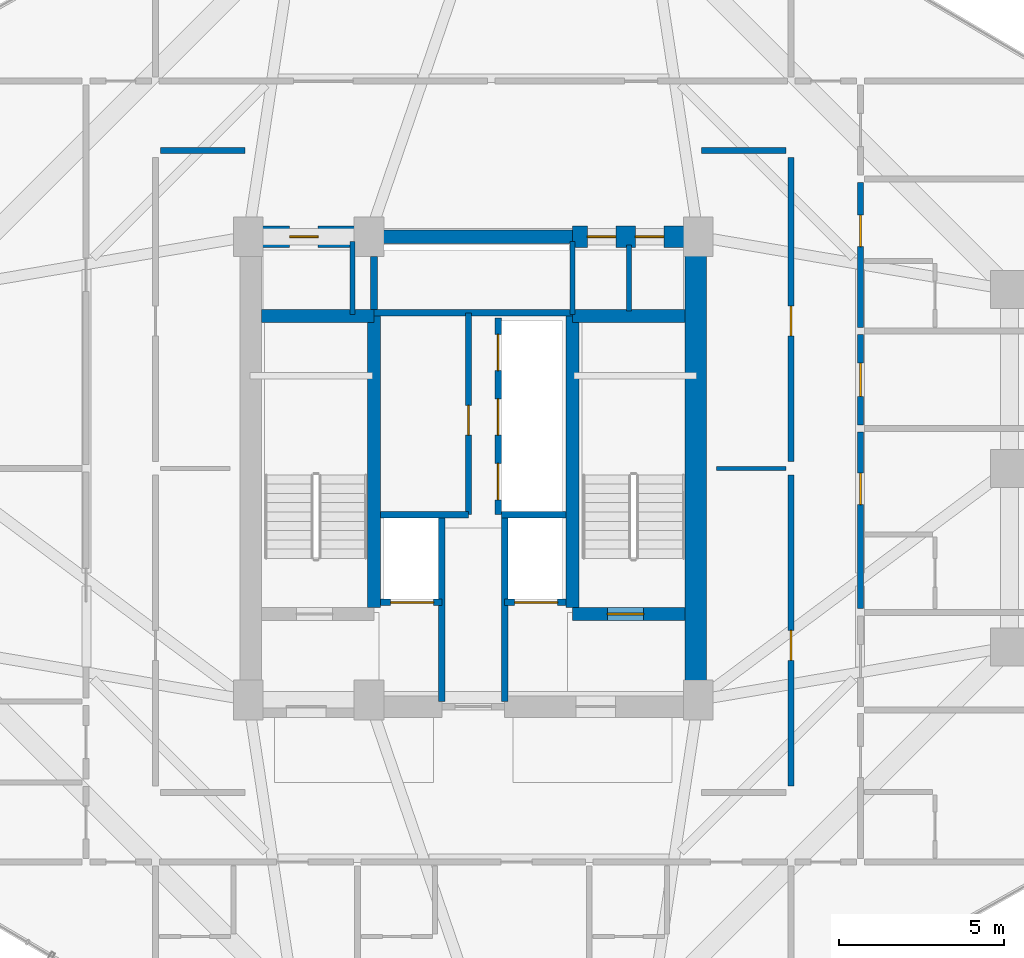
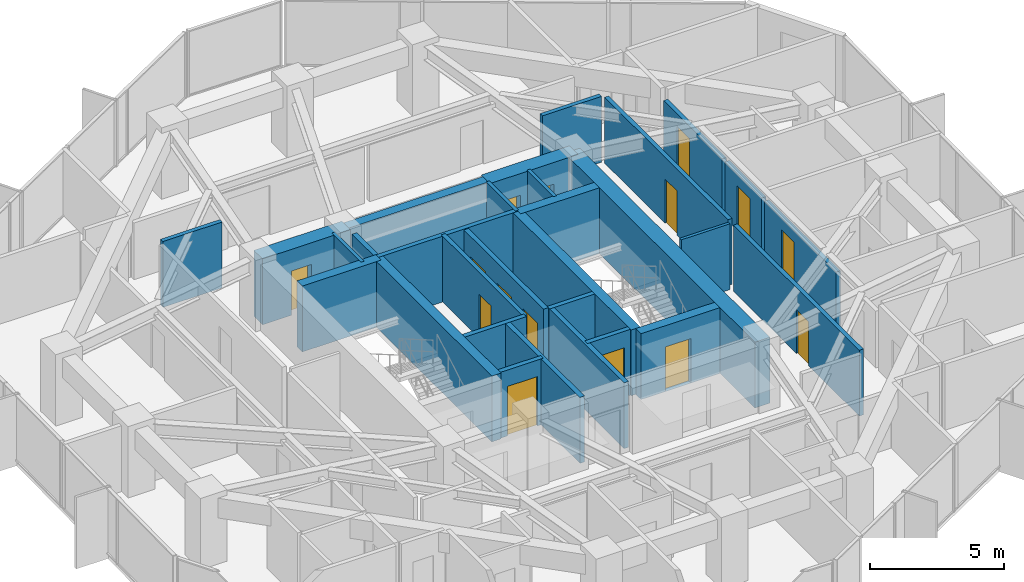
# One storey, part 27 of 30: 30 walls, 15 doors, 15 openings.
"""IFC4 building model written with IfcOpenShell, lengths in metres."""

import ifcopenshell
import ifcopenshell.guid

model = None  # the IFC model being written
_history = None  # IfcOwnerHistory: only IFC2X3 demands one
_inside = {}  # id of a spatial element -> (the spatial element, [elements in it])
_under = {}  # id of a project, library or spatial element -> (it, [spatial elements below it])
_declared = {}  # id of a project -> (the project, [libraries it declares])
_typed = {}  # id of a type object -> (the type object, [elements of that type])
_made_of = {}  # id of a material, layer set ... -> (it, [elements and type objects made of it])


def new_model(schema):
    """Start an empty IFC model of exactly this schema.

    Asked for "IFC4X3", IfcOpenShell would pick the latest addendum, in which some entities
    have other attributes; the version numbers below select the first issue.
    IFC2X3 requires an IfcOwnerHistory on every rooted entity: one is made here for all.
    """
    global model, _history
    if schema == "IFC4X3":
        model = ifcopenshell.file(schema_version=(4, 3, 0, 0))
    else:
        model = ifcopenshell.file(schema=schema)
    _inside.clear()
    _under.clear()
    _declared.clear()
    _typed.clear()
    _made_of.clear()
    _history = None
    if model.schema == "IFC2X3":
        org = make("IfcOrganization", Name="unknown")
        user = make(
            "IfcPersonAndOrganization",
            ThePerson=make("IfcPerson", FamilyName="unknown"),
            TheOrganization=org,
        )
        app = make(
            "IfcApplication",
            ApplicationDeveloper=org,
            Version="unknown",
            ApplicationFullName="unknown",
            ApplicationIdentifier="unknown",
        )
        _history = make(
            "IfcOwnerHistory",
            OwningUser=user,
            OwningApplication=app,
            ChangeAction="ADDED",
            CreationDate=0,
        )
    return model


def make(cls, **values):
    """One entity of the class cls with the attributes given. An attribute that is None is left unset."""
    return model.create_entity(
        cls, **{name: value for name, value in values.items() if value is not None}
    )


def rooted(cls, **values):
    """An entity with a GlobalId (a new one), such as an element, a storey or a relation."""
    return make(cls, GlobalId=ifcopenshell.guid.new(), OwnerHistory=_history, **values)


def si_unit(unit_type, name, prefix=None):
    """IfcSIUnit, for example si_unit("LENGTHUNIT", "METRE", prefix="MILLI")."""
    return make("IfcSIUnit", UnitType=unit_type, Prefix=prefix, Name=name)


def assignment(units):
    """IfcUnitAssignment: the units of a project."""
    return None if units is None else make("IfcUnitAssignment", Units=units)


def point(xyz):
    """IfcCartesianPoint."""
    return None if xyz is None else make("IfcCartesianPoint", Coordinates=xyz)


def direction(xyz):
    """IfcDirection."""
    return None if xyz is None else make("IfcDirection", DirectionRatios=xyz)


def frame(location, z_axis=None, x_axis=None):
    """IfcAxis2Placement3D, a coordinate frame: its origin and axes. An axis left out is left unset."""
    return make(
        "IfcAxis2Placement3D",
        Location=point(location),
        Axis=direction(z_axis),
        RefDirection=direction(x_axis),
    )


def frame_2d(location, x_axis=None):
    """IfcAxis2Placement2D, a coordinate frame in the plane: its origin and x axis."""
    return make(
        "IfcAxis2Placement2D", Location=point(location), RefDirection=direction(x_axis)
    )


def origin():
    """The frame at (0, 0, 0) with its axes left unset."""
    return frame((0.0, 0.0, 0.0))


def place(relative_to, where):
    """IfcLocalPlacement: puts the frame where relative to a parent placement (None: the world)."""
    return make(
        "IfcLocalPlacement", PlacementRelTo=relative_to, RelativePlacement=where
    )


def context(
    kind, dimensions, precision=None, world=None, true_north=None, identifier=None
):
    """IfcGeometricRepresentationContext, for example the 3D "Model" context."""
    return make(
        "IfcGeometricRepresentationContext",
        ContextIdentifier=identifier,
        ContextType=kind,
        CoordinateSpaceDimension=dimensions,
        Precision=precision,
        WorldCoordinateSystem=world,
        TrueNorth=true_north,
    )


def subcontext(parent, identifier, kind, view, scale=None):
    """IfcGeometricRepresentationSubContext, for example "Body" below "Model"."""
    return make(
        "IfcGeometricRepresentationSubContext",
        ContextIdentifier=identifier,
        ContextType=kind,
        ParentContext=parent,
        TargetScale=scale,
        TargetView=view,
    )


def project(units=None, contexts=None):
    """IfcProject with its units and contexts."""
    return rooted(
        "IfcProject",
        Name="project",
        RepresentationContexts=contexts,
        UnitsInContext=assignment(units),
    )


def spatial(cls, under=None, at=None, **own):
    """A site, building, storey or space (cls), placed at a placement, below another one or the project."""
    s = rooted(cls, ObjectPlacement=at, **own)
    if under is not None:
        _under.setdefault(under.id(), (under, []))[1].append(s)
    return s


def profile(cls, at=None, kind="AREA", **sizes):
    """A parametric profile (cls). Its sizes go by their IFC names, for example OverallWidth=200.0."""
    return make(cls, ProfileType=kind, Position=at, **sizes)


def rectangle(**sizes):
    """IfcRectangleProfileDef."""
    return profile("IfcRectangleProfileDef", **sizes)


def extrude(swept, where, along, depth):
    """IfcExtrudedAreaSolid: the profile swept, set in the frame where, extruded along a direction by depth."""
    return make(
        "IfcExtrudedAreaSolid",
        SweptArea=swept,
        Position=where,
        ExtrudedDirection=direction(along),
        Depth=depth,
    )


def shape(context_of_items, identifier, shape_type, items):
    """IfcShapeRepresentation: the items that make up one representation, for example the "Body"."""
    return make(
        "IfcShapeRepresentation",
        ContextOfItems=context_of_items,
        RepresentationIdentifier=identifier,
        RepresentationType=shape_type,
        Items=items,
    )


def source(mapping_origin, context_of_items, identifier, shape_type, items):
    """IfcRepresentationMap: a shape defined once, which mapped items show again and again."""
    return make(
        "IfcRepresentationMap",
        MappingOrigin=mapping_origin,
        MappedRepresentation=shape(context_of_items, identifier, shape_type, items),
    )


def transform(
    local_origin,
    x_axis=None,
    y_axis=None,
    z_axis=None,
    scale=None,
    scale2=None,
    scale3=None,
    uniform=True,
):
    """IfcCartesianTransformationOperator3D, or its non-uniform kind. x_axis, y_axis, z_axis: its Axis1, 2, 3."""
    if uniform:
        return make(
            "IfcCartesianTransformationOperator3D",
            Axis1=direction(x_axis),
            Axis2=direction(y_axis),
            LocalOrigin=point(local_origin),
            Scale=scale,
            Axis3=direction(z_axis),
        )
    return make(
        "IfcCartesianTransformationOperator3DnonUniform",
        Axis1=direction(x_axis),
        Axis2=direction(y_axis),
        LocalOrigin=point(local_origin),
        Scale=scale,
        Axis3=direction(z_axis),
        Scale2=scale2,
        Scale3=scale3,
    )


def mapped(mapping_source, mapping_target):
    """IfcMappedItem: shows the shape of a source again, moved by a transform."""
    return make(
        "IfcMappedItem", MappingSource=mapping_source, MappingTarget=mapping_target
    )


def material(Name=None, Category=None):
    """IfcMaterial."""
    return make("IfcMaterial", Name=Name, Category=Category)


def layer(
    of_material, thickness, ventilated=None, Name=None, Category=None, Priority=None
):
    """IfcMaterialLayer: one layer of a wall or slab, of a material (None: an air gap)."""
    return make(
        "IfcMaterialLayer",
        Material=of_material,
        LayerThickness=thickness,
        IsVentilated=ventilated,
        Name=Name,
        Category=Category,
        Priority=Priority,
    )


def layer_set(layers, Name=None):
    """IfcMaterialLayerSet."""
    return make("IfcMaterialLayerSet", MaterialLayers=layers, LayerSetName=Name)


def made_of(thing, what):
    """Note that an element or type object is made of a material, layer set ...; save() writes the relation."""
    if what is not None:
        _made_of.setdefault(what.id(), (what, []))[1].append(thing)
    return thing


def type_object(cls, material=None, **own):
    """A type object (cls), such as IfcWallType, which elements share."""
    return made_of(rooted(cls, **own), material)


def element(
    cls,
    number,
    at=None,
    inside=None,
    cuts=None,
    type_object=None,
    material=None,
    context=None,
    identifier="Body",
    shape_type=None,
    held_by="IfcProductDefinitionShape",
    body=None,
    shapes=None,
    **own,
):
    """One element of the class cls, such as IfcWall. Its Tag is "e" and its number.

    at: its placement. inside: the storey or other place that contains it. cuts: it is an
    opening in that element (IfcRelVoidsElement). A single representation is given by context,
    identifier, shape_type and body (its items); several are given by shapes. held_by: the class
    of the entity that holds the representations. save() writes the other relations.
    """
    e = rooted(cls, Tag="e%d" % number, ObjectPlacement=at, **own)
    if body is not None:
        shapes = [shape(context, identifier, shape_type, body)]
    if shapes is not None:
        e.Representation = make(held_by, Representations=shapes)
    if inside is not None:
        _inside.setdefault(inside.id(), (inside, []))[1].append(e)
    if cuts is not None:
        rooted(
            "IfcRelVoidsElement", RelatingBuildingElement=cuts, RelatedOpeningElement=e
        )
    if type_object is not None:
        _typed.setdefault(type_object.id(), (type_object, []))[1].append(e)
    return made_of(e, material)


def fill(opening, filler):
    """IfcRelFillsElement: the door or window that sits in an opening."""
    return rooted(
        "IfcRelFillsElement",
        RelatingOpeningElement=opening,
        RelatedBuildingElement=filler,
    )


def aggregate(whole, parts):
    """IfcRelAggregates: a whole, such as a stair, and the parts it consists of."""
    return rooted("IfcRelAggregates", RelatingObject=whole, RelatedObjects=parts)


def save(model, path):
    """Write the relations noted so far, then the file.

    IfcRelAggregates (storeys below a building ...), IfcRelContainedInSpatialStructure (elements
    in a storey), IfcRelDefinesByType, IfcRelAssociatesMaterial and IfcRelDeclares: one each for
    every whole, place, type object, material and project.
    """
    for whole, parts in _under.values():
        aggregate(whole, parts)
    for where, things in _inside.values():
        rooted(
            "IfcRelContainedInSpatialStructure",
            RelatedElements=things,
            RelatingStructure=where,
        )
    for kind, things in _typed.values():
        rooted("IfcRelDefinesByType", RelatedObjects=things, RelatingType=kind)
    for what, things in _made_of.values():
        rooted("IfcRelAssociatesMaterial", RelatedObjects=things, RelatingMaterial=what)
    for by, libraries in _declared.values():
        rooted("IfcRelDeclares", RelatingContext=by, RelatedDefinitions=libraries)
    model.write(path)


model = new_model("IFC4")

# Units and contexts
model_context = context("Model", 3, precision=1e-05, world=origin(), true_north=direction((0.0, 1.0)))
body_context = subcontext(model_context, "Body", "Model", "MODEL_VIEW")
ifc_project = project(units=[si_unit("LENGTHUNIT", "METRE"), si_unit("AREAUNIT", "SQUARE_METRE"), si_unit("VOLUMEUNIT", "CUBIC_METRE"), si_unit("PLANEANGLEUNIT", "RADIAN"), si_unit("MASSUNIT", "GRAM", prefix="KILO")], contexts=[model_context])

# Site, building, storey
site_placement = place(None, origin())
site = spatial("IfcSite", under=ifc_project, at=site_placement, CompositionType="ELEMENT")
building_placement = place(site_placement, origin())
building = spatial("IfcBuilding", under=site, at=building_placement, Name="Veraguas Prism Commons", CompositionType="ELEMENT")
storey_placement = place(building_placement, frame((0.0, 0.0, 126.25)))
storey = spatial("IfcBuildingStorey", under=building, at=storey_placement, Name="L35", CompositionType="ELEMENT", Elevation=126.25)

# Wall
ifc_material_1 = material(Name="Concrete C50/60", Category="concrete")
ifc_layer_1 = layer(ifc_material_1, 0.39990234375, Name="Clinic and Mid Core Shear Wall RC 400", Category="concrete")
ifc_layer_set_1 = layer_set([ifc_layer_1], Name="Concrete C50/60")
wall_type_1 = type_object("IfcWallType", Name="Clinic and Mid Core Shear Wall RC 400", PredefinedType="SHEAR", material=ifc_layer_set_1)
wall_1_placement = place(storey_placement, frame((21.0, 31.0, 0.0), z_axis=(0.0, 0.0, 1.0), x_axis=(1.0, 0.0, 0.0)))
element("IfcWall", 1, at=wall_1_placement, inside=storey, type_object=wall_type_1, Name="High-Rise Lift Bank Front Shear Wall L35", PredefinedType="SHEAR", context=body_context, shape_type="SweptSolid", body=[
    extrude(rectangle(XDim=6.0, YDim=0.39990234375, at=frame_2d((3.0, 0.0))), origin(), (0.0, 0.0, 1.0), 3.0),
])

# Wall, opening, door
wall_2_placement = place(storey_placement, frame((27.0, 19.60009765625, 0.0), z_axis=(0.0, 0.0, 1.0), x_axis=(1.0, 0.0, 0.0)))
wall_2 = element("IfcWall", 2, at=wall_2_placement, inside=storey, type_object=wall_type_1, Name="Stair ST-02 South Shear Wall L35", PredefinedType="SHEAR", context=body_context, shape_type="SweptSolid", body=[
    extrude(rectangle(XDim=3.39990234375, YDim=0.39990234375, at=frame_2d((1.699951171875, 0.0))), origin(), (0.0, 0.0, 1.0), 3.0),
])
opening_1_placement = place(wall_2_placement, frame((1.050048828125, 0.0, 0.0)))
opening_1 = element("IfcOpeningElement", 3, at=opening_1_placement, cuts=wall_2, Name="Opening DR-05", PredefinedType="OPENING", context=body_context, shape_type="SweptSolid", body=[
    extrude(rectangle(XDim=1.10009765625, YDim=2.030029296875, at=frame_2d((0.550048828125, 1.01513671875))), frame((0.0, 0.2099609375, 0.0), z_axis=(0.0, -1.0, 0.0), x_axis=(1.0, 0.0, 0.0)), (0.0, 0.0, 1.0), 0.419921875),
])
ifc_material_2 = material(Name="Steel fire-rated door assembly", Category="steel")
door_type_1 = type_object("IfcDoorType", Name="Protected Stair and Refuge Fire Door 1100x2030", OperationType="NOTDEFINED", PredefinedType="DOOR", material=ifc_material_2)
shared_shape_1 = source(origin(), body_context, "Body", "SweptSolid", [
    extrude(rectangle(XDim=1.10009765625, YDim=2.030029296875, at=frame_2d((0.550048828125, 1.01513671875))), frame((0.0, 0.02490234375, 0.0), z_axis=(0.0, -1.0, 0.0), x_axis=(1.0, 0.0, 0.0)), (0.0, 0.0, 1.0), 0.050048828125),
])
door_1_placement = place(opening_1_placement, origin())
door_1 = element("IfcDoor", 4, at=door_1_placement, inside=storey, type_object=door_type_1, Name="Stair ST-02 Enclosure Door L35", OperationType="SINGLE_SWING_LEFT", OverallHeight=2.030029296875, OverallWidth=1.10009765625, PredefinedType="DOOR", context=body_context, shape_type="MappedRepresentation", body=[
    mapped(shared_shape_1, transform((0.0, 0.0, 0.0), scale=1.0)),
])
fill(opening_1, door_1)

# Walls
for number, where, z_axis, x_axis, name in (
    (5, (21.0, 19.800048828125, 0.0), (0.0, 0.0, 1.0), (0.0, 1.0, 0.0), "Stair ST-01 Inner Shear Wall L35"),
    (6, (27.0, 19.800048828125, 0.0), (0.0, 0.0, 1.0), (0.0, 1.0, 0.0), "Stair ST-02 Inner Shear Wall L35"),
):
    element("IfcWall", number, at=place(storey_placement, frame(where, z_axis=z_axis, x_axis=x_axis)), inside=storey, type_object=wall_type_1, Name=name, PredefinedType="SHEAR", context=body_context, shape_type="SweptSolid", body=[
        extrude(rectangle(XDim=8.800048828125, YDim=0.39990234375, at=frame_2d((4.39990234375, 0.0))), origin(), (0.0, 0.0, 1.0), 3.0),
    ])
for number, where, z_axis, x_axis, name in (
    (7, (17.60009765625, 28.60009765625, 0.0), (0.0, 0.0, 1.0), (1.0, 0.0, 0.0), "Stair ST-01 North Shear Wall L35"),
    (8, (27.0, 28.60009765625, 0.0), (0.0, 0.0, 1.0), (1.0, 0.0, 0.0), "Stair ST-02 North Shear Wall L35"),
):
    element("IfcWall", number, at=place(storey_placement, frame(where, z_axis=z_axis, x_axis=x_axis)), inside=storey, type_object=wall_type_1, Name=name, PredefinedType="SHEAR", context=body_context, shape_type="SweptSolid", body=[
        extrude(rectangle(XDim=3.39990234375, YDim=0.39990234375, at=frame_2d((1.699951171875, 0.0))), origin(), (0.0, 0.0, 1.0), 3.0),
    ])
ifc_material_3 = material(Name="Concrete C55/67", Category="concrete")
ifc_layer_2 = layer(ifc_material_3, 0.64990234375, Name="Core Outer Shear Wall Mid RC 650", Category="concrete")
ifc_layer_set_2 = layer_set([ifc_layer_2], Name="Concrete C55/67")
wall_type_2 = type_object("IfcWallType", Name="Core Outer Shear Wall Mid RC 650", PredefinedType="SHEAR", material=ifc_layer_set_2)
wall_3_placement = place(storey_placement, frame((30.72509765625, 16.800048828125, 0.0), z_axis=(0.0, 0.0, 1.0), x_axis=(0.0, 1.0, 0.0)))
element("IfcWall", 9, at=wall_3_placement, inside=storey, type_object=wall_type_2, Name="Central Core East Shear Wall L35", PredefinedType="SHEAR", context=body_context, shape_type="SweptSolid", body=[
    extrude(rectangle(XDim=14.199951171875, YDim=0.64990234375, at=frame_2d((7.10009765625, 0.0))), origin(), (0.0, 0.0, 1.0), 3.0),
])

# Wall, opening, door
wall_4_placement = place(storey_placement, frame((17.199951171875, 31.0, 0.0), z_axis=(0.0, 0.0, 1.0), x_axis=(1.0, 0.0, 0.0)))
wall_4 = element("IfcWall", 10, at=wall_4_placement, inside=storey, type_object=wall_type_2, Name="Central Core North-West Shear Wall L35", PredefinedType="SHEAR", context=body_context, shape_type="SweptSolid", body=[
    extrude(rectangle(XDim=3.800048828125, YDim=0.64990234375, at=frame_2d((1.89990234375, 0.0))), origin(), (0.0, 0.0, 1.0), 3.0),
])
opening_2_placement = place(wall_4_placement, frame((1.25, 0.0, 0.0)))
opening_2 = element("IfcOpeningElement", 11, at=opening_2_placement, cuts=wall_4, Name="Opening DR-12", PredefinedType="OPENING", context=body_context, shape_type="SweptSolid", body=[
    extrude(rectangle(XDim=0.860107421875, YDim=2.010009765625, at=frame_2d((0.43017578125, 1.0048828125))), frame((0.0, 0.3349609375, 0.0), z_axis=(0.0, -1.0, 0.0), x_axis=(1.0, 0.0, 0.0)), (0.0, 0.0, 1.0), 0.669921875),
])
door_type_2 = type_object("IfcDoorType", Name="Core WC Fire Door 860x2010", OperationType="NOTDEFINED", PredefinedType="DOOR", material=ifc_material_2)
shared_shape_2 = source(origin(), body_context, "Body", "SweptSolid", [
    extrude(rectangle(XDim=0.860107421875, YDim=2.010009765625, at=frame_2d((0.43017578125, 1.0048828125))), frame((0.0, 0.02490234375, 0.0), z_axis=(0.0, -1.0, 0.0), x_axis=(1.0, 0.0, 0.0)), (0.0, 0.0, 1.0), 0.050048828125),
])
door_2_placement = place(opening_2_placement, origin())
door_2 = element("IfcDoor", 12, at=door_2_placement, inside=storey, type_object=door_type_2, Name="Core NW Service Door L35", OperationType="SINGLE_SWING_LEFT", OverallHeight=2.010009765625, OverallWidth=0.860107421875, PredefinedType="DOOR", context=body_context, shape_type="MappedRepresentation", body=[
    mapped(shared_shape_2, transform((0.0, 0.0, 0.0), scale=1.0)),
])
fill(opening_2, door_2)

# Wall, openings, doors
wall_5_placement = place(storey_placement, frame((27.0, 31.0, 0.0), z_axis=(0.0, 0.0, 1.0), x_axis=(1.0, 0.0, 0.0)))
wall_5 = element("IfcWall", 13, at=wall_5_placement, inside=storey, type_object=wall_type_2, Name="Central Core North-East Shear Wall L35", PredefinedType="SHEAR", context=body_context, shape_type="SweptSolid", body=[
    extrude(rectangle(XDim=3.800048828125, YDim=0.64990234375, at=frame_2d((1.89990234375, 0.0))), origin(), (0.0, 0.0, 1.0), 3.0),
])
opening_3_placement = place(wall_5_placement, frame((0.449951171875, 0.0, 0.0)))
opening_3 = element("IfcOpeningElement", 14, at=opening_3_placement, cuts=wall_5, Name="Opening DR-12", PredefinedType="OPENING", context=body_context, shape_type="SweptSolid", body=[
    extrude(rectangle(XDim=0.860107421875, YDim=2.010009765625, at=frame_2d((0.43017578125, 1.0048828125))), frame((0.0, 0.3349609375, 0.0), z_axis=(0.0, -1.0, 0.0), x_axis=(1.0, 0.0, 0.0)), (0.0, 0.0, 1.0), 0.669921875),
])
opening_4_placement = place(wall_5_placement, frame((1.89990234375, 0.0, 0.0)))
opening_4 = element("IfcOpeningElement", 15, at=opening_4_placement, cuts=wall_5, Name="Opening DR-12", PredefinedType="OPENING", context=body_context, shape_type="SweptSolid", body=[
    extrude(rectangle(XDim=0.860107421875, YDim=2.010009765625, at=frame_2d((0.43017578125, 1.0048828125))), frame((0.0, 0.3349609375, 0.0), z_axis=(0.0, -1.0, 0.0), x_axis=(1.0, 0.0, 0.0)), (0.0, 0.0, 1.0), 0.669921875),
])
door_3_placement = place(opening_3_placement, origin())
door_3 = element("IfcDoor", 16, at=door_3_placement, inside=storey, type_object=door_type_2, Name="Core NE Room A Door L35", OperationType="SINGLE_SWING_RIGHT", OverallHeight=2.010009765625, OverallWidth=0.860107421875, PredefinedType="DOOR", context=body_context, shape_type="MappedRepresentation", body=[
    mapped(shared_shape_2, transform((0.0, 0.0, 0.0), scale=1.0)),
])
fill(opening_3, door_3)
door_4_placement = place(opening_4_placement, origin())
door_4 = element("IfcDoor", 17, at=door_4_placement, inside=storey, type_object=door_type_2, Name="Core NE Room B Door L35", OperationType="SINGLE_SWING_LEFT", OverallHeight=2.010009765625, OverallWidth=0.860107421875, PredefinedType="DOOR", context=body_context, shape_type="MappedRepresentation", body=[
    mapped(shared_shape_2, transform((0.0, 0.0, 0.0), scale=1.0)),
])
fill(opening_4, door_4)

# Wall, opening, door
ifc_material_4 = material(Name="Autoclaved aerated masonry block 10 MPa", Category="masonry")
ifc_layer_3 = layer(ifc_material_4, 0.179931640625, Name="Corridor and Inter-Tenancy Partition 180", Category="masonry")
ifc_layer_set_3 = layer_set([ifc_layer_3], Name="Autoclaved aerated masonry block 10 MPa")
wall_type_3 = type_object("IfcWallType", Name="Corridor and Inter-Tenancy Partition 180", PredefinedType="PARTITIONING", material=ifc_layer_set_3)
wall_6_placement = place(storey_placement, frame((23.85009765625, 22.60009765625, 0.0), z_axis=(0.0, 0.0, 1.0), x_axis=(0.0, 1.0, 0.0)))
wall_6 = element("IfcWall", 18, at=wall_6_placement, inside=storey, type_object=wall_type_3, Name="Reading Room Partition L35", PredefinedType="PARTITIONING", context=body_context, shape_type="SweptSolid", body=[
    extrude(rectangle(XDim=6.099853515625, YDim=0.179931640625, at=frame_2d((3.0498046875, 0.0))), origin(), (0.0, 0.0, 1.0), 3.0),
])
opening_5_placement = place(wall_6_placement, frame((2.39990234375, 0.0, 0.0)))
opening_5 = element("IfcOpeningElement", 19, at=opening_5_placement, cuts=wall_6, Name="Opening DR-14", PredefinedType="OPENING", context=body_context, shape_type="SweptSolid", body=[
    extrude(rectangle(XDim=0.89990234375, YDim=2.010009765625, at=frame_2d((0.449951171875, 1.0048828125))), frame((0.0, 0.099853515625, 0.0), z_axis=(0.0, -1.0, 0.0), x_axis=(1.0, 0.0, 0.0)), (0.0, 0.0, 1.0), 0.199951171875),
])
door_type_3 = type_object("IfcDoorType", Name="Core Service Room Fire Door 900x2010", OperationType="NOTDEFINED", PredefinedType="DOOR", material=ifc_material_2)
shared_shape_3 = source(origin(), body_context, "Body", "SweptSolid", [
    extrude(rectangle(XDim=0.89990234375, YDim=2.010009765625, at=frame_2d((0.449951171875, 1.0048828125))), frame((0.0, 0.02490234375, 0.0), z_axis=(0.0, -1.0, 0.0), x_axis=(1.0, 0.0, 0.0)), (0.0, 0.0, 1.0), 0.050048828125),
])
door_5_placement = place(opening_5_placement, origin())
door_5 = element("IfcDoor", 20, at=door_5_placement, inside=storey, type_object=door_type_3, Name="Reading Room Door L35", OperationType="SINGLE_SWING_RIGHT", OverallHeight=2.010009765625, OverallWidth=0.89990234375, PredefinedType="DOOR", context=body_context, shape_type="MappedRepresentation", body=[
    mapped(shared_shape_3, transform((0.0, 0.0, 0.0), scale=1.0)),
])
fill(opening_5, door_5)

wall_7_placement = place(storey_placement, frame((33.60009765625, 14.39990234375, 0.0), z_axis=(0.0, 0.0, 1.0), x_axis=(0.0, 1.0, 0.0)))
wall_7 = element("IfcWall", 21, at=wall_7_placement, inside=storey, type_object=wall_type_3, Name="WL-L35-IRE1", PredefinedType="PARTITIONING", context=body_context, shape_type="SweptSolid", body=[
    extrude(rectangle(XDim=9.400146484375, YDim=0.179931640625, at=frame_2d((4.7001953125, 0.0))), origin(), (0.0, 0.0, 1.0), 3.0),
])
opening_6_placement = place(wall_7_placement, frame((3.800048828125, 0.0, 0.0)))
opening_6 = element("IfcOpeningElement", 22, at=opening_6_placement, cuts=wall_7, Name="Opening DR-14", PredefinedType="OPENING", context=body_context, shape_type="SweptSolid", body=[
    extrude(rectangle(XDim=0.89990234375, YDim=2.010009765625, at=frame_2d((0.449951171875, 1.0048828125))), frame((0.0, 0.099853515625, 0.0), z_axis=(0.0, -1.0, 0.0), x_axis=(1.0, 0.0, 0.0)), (0.0, 0.0, 1.0), 0.199951171875),
])
door_6_placement = place(opening_6_placement, origin())
door_6 = element("IfcDoor", 23, at=door_6_placement, inside=storey, type_object=door_type_3, Name="Shared Laundry Annex Door L35", OperationType="SINGLE_SWING_LEFT", OverallHeight=2.010009765625, OverallWidth=0.89990234375, PredefinedType="DOOR", context=body_context, shape_type="MappedRepresentation", body=[
    mapped(shared_shape_3, transform((0.0, 0.0, 0.0), scale=1.0)),
])
fill(opening_6, door_6)

wall_8_placement = place(storey_placement, frame((33.60009765625, 24.199951171875, 0.0), z_axis=(0.0, 0.0, 1.0), x_axis=(0.0, 1.0, 0.0)))
wall_8 = element("IfcWall", 24, at=wall_8_placement, inside=storey, type_object=wall_type_3, Name="WL-L35-IRE2", PredefinedType="PARTITIONING", context=body_context, shape_type="SweptSolid", body=[
    extrude(rectangle(XDim=9.199951171875, YDim=0.179931640625, at=frame_2d((4.60009765625, 0.0))), origin(), (0.0, 0.0, 1.0), 3.0),
])
opening_7_placement = place(wall_8_placement, frame((3.800048828125, 0.0, 0.0)))
opening_7 = element("IfcOpeningElement", 25, at=opening_7_placement, cuts=wall_8, Name="Opening DR-14", PredefinedType="OPENING", context=body_context, shape_type="SweptSolid", body=[
    extrude(rectangle(XDim=0.89990234375, YDim=2.010009765625, at=frame_2d((0.449951171875, 1.0048828125))), frame((0.0, 0.099853515625, 0.0), z_axis=(0.0, -1.0, 0.0), x_axis=(1.0, 0.0, 0.0)), (0.0, 0.0, 1.0), 0.199951171875),
])
door_7_placement = place(opening_7_placement, origin())
door_7 = element("IfcDoor", 26, at=door_7_placement, inside=storey, type_object=door_type_3, Name="Community Reading Alcove Door L35", OperationType="SINGLE_SWING_RIGHT", OverallHeight=2.010009765625, OverallWidth=0.89990234375, PredefinedType="DOOR", context=body_context, shape_type="MappedRepresentation", body=[
    mapped(shared_shape_3, transform((0.0, 0.0, 0.0), scale=1.0)),
])
fill(opening_7, door_7)

# Walls
for number, where, z_axis, x_axis, name in (
    (27, (14.550048828125, 33.60009765625, 0.0), (0.0, 0.0, 1.0), (1.0, 0.0, 0.0), "WL-L35-IRWN"),
    (28, (30.89990234375, 33.60009765625, 0.0), (0.0, 0.0, 1.0), (1.0, 0.0, 0.0), "WL-L35-IREN"),
):
    element("IfcWall", number, at=place(storey_placement, frame(where, z_axis=z_axis, x_axis=x_axis)), inside=storey, type_object=wall_type_3, Name=name, PredefinedType="PARTITIONING", context=body_context, shape_type="SweptSolid", body=[
        extrude(rectangle(XDim=2.550048828125, YDim=0.179931640625, at=frame_2d((1.27490234375, 0.0))), origin(), (0.0, 0.0, 1.0), 3.0),
    ])

# Wall, opening, door
wall_9_placement = place(storey_placement, frame((35.699951171875, 25.31201171875, 0.0), z_axis=(0.0, 0.0, 1.0), x_axis=(0.0, 1.0, 0.0)))
wall_9 = element("IfcWall", 29, at=wall_9_placement, inside=storey, type_object=wall_type_3, Name="WL-L35-PT037", PredefinedType="PARTITIONING", context=body_context, shape_type="SweptSolid", body=[
    extrude(rectangle(XDim=2.72998046875, YDim=0.179931640625, at=frame_2d((1.364990234375, 0.0))), origin(), (0.0, 0.0, 1.0), 2.580078125),
])
opening_8_placement = place(wall_9_placement, frame((0.864990234375, 0.0, 0.0)))
opening_8 = element("IfcOpeningElement", 30, at=opening_8_placement, cuts=wall_9, Name="Opening DR-13", PredefinedType="OPENING", context=body_context, shape_type="SweptSolid", body=[
    extrude(rectangle(XDim=1.0, YDim=2.010009765625, at=frame_2d((0.5, 1.0048828125))), frame((0.0, 0.099853515625, 0.0), z_axis=(0.0, -1.0, 0.0), x_axis=(1.0, 0.0, 0.0)), (0.0, 0.0, 1.0), 0.199951171875),
])
door_type_4 = type_object("IfcDoorType", Name="Core Accessible WC and Clinic Fire Door 1000x2010", OperationType="NOTDEFINED", PredefinedType="DOOR", material=ifc_material_2)
shared_shape_4 = source(origin(), body_context, "Body", "SweptSolid", [
    extrude(rectangle(XDim=1.0, YDim=2.010009765625, at=frame_2d((0.5, 1.0048828125))), frame((0.0, 0.02490234375, 0.0), z_axis=(0.0, -1.0, 0.0), x_axis=(1.0, 0.0, 0.0)), (0.0, 0.0, 1.0), 0.050048828125),
])
door_8_placement = place(opening_8_placement, origin())
door_8 = element("IfcDoor", 31, at=door_8_placement, inside=storey, type_object=door_type_4, Name="Quiet Study E Door", OperationType="SINGLE_SWING_RIGHT", OverallHeight=2.010009765625, OverallWidth=1.0, PredefinedType="DOOR", context=body_context, shape_type="MappedRepresentation", body=[
    mapped(shared_shape_4, transform((0.0, 0.0, 0.0), scale=1.0)),
])
fill(opening_8, door_8)

wall_10_placement = place(storey_placement, frame((35.699951171875, 19.758056640625, 0.0), z_axis=(0.0, 0.0, 1.0), x_axis=(0.0, 1.0, 0.0)))
wall_10 = element("IfcWall", 32, at=wall_10_placement, inside=storey, type_object=wall_type_3, Name="WL-L35-PT039", PredefinedType="PARTITIONING", context=body_context, shape_type="SweptSolid", body=[
    extrude(rectangle(XDim=5.333984375, YDim=0.179931640625, at=frame_2d((2.6669921875, 0.0))), origin(), (0.0, 0.0, 1.0), 2.580078125),
])
opening_9_placement = place(wall_10_placement, frame((3.148193359375, 0.0, 0.0)))
opening_9 = element("IfcOpeningElement", 33, at=opening_9_placement, cuts=wall_10, Name="Opening DR-01", PredefinedType="OPENING", context=body_context, shape_type="SweptSolid", body=[
    extrude(rectangle(XDim=0.949951171875, YDim=2.02001953125, at=frame_2d((0.47509765625, 1.010009765625))), frame((0.0, 0.099853515625, 0.0), z_axis=(0.0, -1.0, 0.0), x_axis=(1.0, 0.0, 0.0)), (0.0, 0.0, 1.0), 0.199951171875),
])
ifc_material_5 = material(Name="Anodised aluminium EN AW-6063 T6", Category="aluminium")
door_type_5 = type_object("IfcDoorType", Name="Apartment Entrance Fire Door 950x2020", OperationType="NOTDEFINED", PredefinedType="DOOR", material=ifc_material_5)
shared_shape_5 = source(origin(), body_context, "Body", "SweptSolid", [
    extrude(rectangle(XDim=0.949951171875, YDim=2.02001953125, at=frame_2d((0.47509765625, 1.010009765625))), frame((0.0, 0.02490234375, 0.0), z_axis=(0.0, -1.0, 0.0), x_axis=(1.0, 0.0, 0.0)), (0.0, 0.0, 1.0), 0.050048828125),
])
door_9_placement = place(opening_9_placement, origin())
door_9 = element("IfcDoor", 34, at=door_9_placement, inside=storey, type_object=door_type_5, Name="Studio 35E Entrance Door", OperationType="SINGLE_SWING_LEFT", OverallHeight=2.02001953125, OverallWidth=0.949951171875, PredefinedType="DOOR", context=body_context, shape_type="MappedRepresentation", body=[
    mapped(shared_shape_5, transform((0.0, 0.0, 0.0), scale=1.0)),
])
fill(opening_9, door_9)

wall_11_placement = place(storey_placement, frame((35.699951171875, 28.261962890625, 0.0), z_axis=(0.0, 0.0, 1.0), x_axis=(0.0, 1.0, 0.0)))
wall_11 = element("IfcWall", 35, at=wall_11_placement, inside=storey, type_object=wall_type_3, Name="WL-L35-PT045", PredefinedType="PARTITIONING", context=body_context, shape_type="SweptSolid", body=[
    extrude(rectangle(XDim=4.3779296875, YDim=0.179931640625, at=frame_2d((2.18896484375, 0.0))), origin(), (0.0, 0.0, 1.0), 2.580078125),
])
opening_10_placement = place(wall_11_placement, frame((2.440673828125, 0.0, 0.0)))
opening_10 = element("IfcOpeningElement", 36, at=opening_10_placement, cuts=wall_11, Name="Opening DR-01", PredefinedType="OPENING", context=body_context, shape_type="SweptSolid", body=[
    extrude(rectangle(XDim=0.949951171875, YDim=2.02001953125, at=frame_2d((0.47509765625, 1.010009765625))), frame((0.0, 0.099853515625, 0.0), z_axis=(0.0, -1.0, 0.0), x_axis=(1.0, 0.0, 0.0)), (0.0, 0.0, 1.0), 0.199951171875),
])
door_10_placement = place(opening_10_placement, origin())
door_10 = element("IfcDoor", 37, at=door_10_placement, inside=storey, type_object=door_type_5, Name="Studio 35F Entrance Door", OperationType="SINGLE_SWING_RIGHT", OverallHeight=2.02001953125, OverallWidth=0.949951171875, PredefinedType="DOOR", context=body_context, shape_type="MappedRepresentation", body=[
    mapped(shared_shape_5, transform((0.0, 0.0, 0.0), scale=1.0)),
])
fill(opening_10, door_10)

# Wall
ifc_material_6 = material(Name="Lightweight acoustic gypsum board")
ifc_layer_4 = layer(ifc_material_6, 0.125, Name="Internal Apartment Room Partition 125")
ifc_layer_set_4 = layer_set([ifc_layer_4], Name="Lightweight acoustic gypsum board")
wall_type_4 = type_object("IfcWallType", Name="Internal Apartment Room Partition 125", PredefinedType="PARTITIONING", material=ifc_layer_set_4)
wall_12_placement = place(storey_placement, frame((31.35009765625, 24.0, 0.0), z_axis=(0.0, 0.0, 1.0), x_axis=(1.0, 0.0, 0.0)))
element("IfcWall", 38, at=wall_12_placement, inside=storey, type_object=wall_type_4, Name="WL-L35-IREM", PredefinedType="PARTITIONING", context=body_context, shape_type="SweptSolid", body=[
    extrude(rectangle(XDim=2.099853515625, YDim=0.125, at=frame_2d((1.0498046875, 0.0))), origin(), (0.0, 0.0, 1.0), 3.0),
])

# Wall, opening, door
ifc_layer_5 = layer(ifc_material_4, 0.199951171875, Name="Rated Shaft and Lobby Block Wall 200", Category="masonry")
ifc_layer_set_5 = layer_set([ifc_layer_5], Name="Autoclaved aerated masonry block 10 MPa")
wall_type_5 = type_object("IfcWallType", Name="Rated Shaft and Lobby Block Wall 200", PredefinedType="SOLIDWALL", material=ifc_layer_set_5)
wall_13_placement = place(storey_placement, frame((21.199951171875, 19.949951171875, 0.0), z_axis=(0.0, 0.0, 1.0), x_axis=(1.0, 0.0, 0.0)))
wall_13 = element("IfcWall", 39, at=wall_13_placement, inside=storey, type_object=wall_type_5, Name="Firefighting Lift FFL-1 Front Wall L35", PredefinedType="SOLIDWALL", context=body_context, shape_type="SweptSolid", body=[
    extrude(rectangle(XDim=1.85009765625, YDim=0.199951171875, at=frame_2d((0.925048828125, 0.0))), origin(), (0.0, 0.0, 1.0), 3.0),
])
opening_11_placement = place(wall_13_placement, frame((0.300048828125, 0.0, 0.0)))
opening_11 = element("IfcOpeningElement", 40, at=opening_11_placement, cuts=wall_13, Name="Opening LD-02", PredefinedType="OPENING", context=body_context, shape_type="SweptSolid", body=[
    extrude(rectangle(XDim=1.300048828125, YDim=2.25, at=frame_2d((0.64990234375, 1.125))), frame((0.0, 0.10986328125, 0.0), z_axis=(0.0, -1.0, 0.0), x_axis=(1.0, 0.0, 0.0)), (0.0, 0.0, 1.0), 0.219970703125),
])
ifc_material_7 = material(Name="Stainless steel AISI 316", Category="steel")
door_type_6 = type_object("IfcDoorType", Name="Firefighting Lift Sliding Landing Door 1300x2250", OperationType="NOTDEFINED", PredefinedType="DOOR", material=ifc_material_7)
shared_shape_6 = source(origin(), body_context, "Body", "SweptSolid", [
    extrude(rectangle(XDim=1.300048828125, YDim=2.25, at=frame_2d((0.64990234375, 1.125))), frame((0.0, 0.02490234375, 0.0), z_axis=(0.0, -1.0, 0.0), x_axis=(1.0, 0.0, 0.0)), (0.0, 0.0, 1.0), 0.050048828125),
])
door_11_placement = place(opening_11_placement, origin())
door_11 = element("IfcDoor", 41, at=door_11_placement, inside=storey, type_object=door_type_6, Name="Firefighting Lift FFL-1 Landing Door L35", OperationType="SLIDING_TO_LEFT", OverallHeight=2.25, OverallWidth=1.300048828125, PredefinedType="DOOR", context=body_context, shape_type="MappedRepresentation", body=[
    mapped(shared_shape_6, transform((0.0, 0.0, 0.0), scale=1.0)),
])
fill(opening_11, door_11)

wall_14_placement = place(storey_placement, frame((24.949951171875, 19.949951171875, 0.0), z_axis=(0.0, 0.0, 1.0), x_axis=(1.0, 0.0, 0.0)))
wall_14 = element("IfcWall", 42, at=wall_14_placement, inside=storey, type_object=wall_type_5, Name="Firefighting Lift FFL-2 Front Wall L35", PredefinedType="SOLIDWALL", context=body_context, shape_type="SweptSolid", body=[
    extrude(rectangle(XDim=1.85009765625, YDim=0.199951171875, at=frame_2d((0.925048828125, 0.0))), origin(), (0.0, 0.0, 1.0), 3.0),
])
opening_12_placement = place(wall_14_placement, frame((0.300048828125, 0.0, 0.0)))
opening_12 = element("IfcOpeningElement", 43, at=opening_12_placement, cuts=wall_14, Name="Opening LD-02", PredefinedType="OPENING", context=body_context, shape_type="SweptSolid", body=[
    extrude(rectangle(XDim=1.300048828125, YDim=2.25, at=frame_2d((0.64990234375, 1.125))), frame((0.0, 0.10986328125, 0.0), z_axis=(0.0, -1.0, 0.0), x_axis=(1.0, 0.0, 0.0)), (0.0, 0.0, 1.0), 0.219970703125),
])
door_12_placement = place(opening_12_placement, origin())
door_12 = element("IfcDoor", 44, at=door_12_placement, inside=storey, type_object=door_type_6, Name="Firefighting Lift FFL-2 Front Wall L35", OperationType="SLIDING_TO_LEFT", OverallHeight=2.25, OverallWidth=1.300048828125, PredefinedType="DOOR", context=body_context, shape_type="MappedRepresentation", body=[
    mapped(shared_shape_6, transform((0.0, 0.0, 0.0), scale=1.0)),
])
fill(opening_12, door_12)

# Walls
for number, where, z_axis, x_axis, name in (
    (45, (23.050048828125, 16.949951171875, 0.0), (0.0, 0.0, 1.0), (0.0, 1.0, 0.0), "West FF Lobby Divider Wall L35"),
    (46, (24.949951171875, 16.949951171875, 0.0), (0.0, 0.0, 1.0), (0.0, 1.0, 0.0), "East FF Lobby Divider Wall L35"),
):
    element("IfcWall", number, at=place(storey_placement, frame(where, z_axis=z_axis, x_axis=x_axis)), inside=storey, type_object=wall_type_5, Name=name, PredefinedType="SOLIDWALL", context=body_context, shape_type="SweptSolid", body=[
        extrude(rectangle(XDim=5.60009765625, YDim=0.199951171875, at=frame_2d((2.800048828125, 0.0))), origin(), (0.0, 0.0, 1.0), 3.0),
    ])
wall_15_placement = place(storey_placement, frame((21.199951171875, 22.60009765625, 0.0), z_axis=(0.0, 0.0, 1.0), x_axis=(1.0, 0.0, 0.0)))
element("IfcWall", 47, at=wall_15_placement, inside=storey, type_object=wall_type_5, Name="Firefighting Lift FFL-1 Rear Wall L35", PredefinedType="SOLIDWALL", context=body_context, shape_type="SweptSolid", body=[
    extrude(rectangle(XDim=2.650146484375, YDim=0.199951171875, at=frame_2d((1.3251953125, 0.0))), origin(), (0.0, 0.0, 1.0), 3.0),
])
wall_16_placement = place(storey_placement, frame((24.85009765625, 22.60009765625, 0.0), z_axis=(0.0, 0.0, 1.0), x_axis=(1.0, 0.0, 0.0)))
element("IfcWall", 48, at=wall_16_placement, inside=storey, type_object=wall_type_5, Name="Firefighting Lift FFL-2 Rear Wall L35", PredefinedType="SOLIDWALL", context=body_context, shape_type="SweptSolid", body=[
    extrude(rectangle(XDim=1.949951171875, YDim=0.199951171875, at=frame_2d((0.97509765625, 0.0))), origin(), (0.0, 0.0, 1.0), 3.0),
])
wall_17_placement = place(storey_placement, frame((21.0, 28.699951171875, 0.0), z_axis=(0.0, 0.0, 1.0), x_axis=(1.0, 0.0, 0.0)))
element("IfcWall", 49, at=wall_17_placement, inside=storey, type_object=wall_type_5, Name="High-Rise Lift Bank Rear Shaft Wall L35", PredefinedType="SOLIDWALL", context=body_context, shape_type="SweptSolid", body=[
    extrude(rectangle(XDim=6.0, YDim=0.199951171875, at=frame_2d((3.0, 0.0))), origin(), (0.0, 0.0, 1.0), 3.0),
])
wall_18_placement = place(storey_placement, frame((21.0, 28.800048828125, 0.0), z_axis=(0.0, 0.0, 1.0), x_axis=(0.0, 1.0, 0.0)))
element("IfcWall", 50, at=wall_18_placement, inside=storey, type_object=wall_type_5, Name="High-Rise Lift Bank West Shaft Wall L35", PredefinedType="SOLIDWALL", context=body_context, shape_type="SweptSolid", body=[
    extrude(rectangle(XDim=1.599853515625, YDim=0.199951171875, at=frame_2d((0.7998046875, 0.0))), origin(), (0.0, 0.0, 1.0), 3.0),
])

# Wall, openings, doors
wall_19_placement = place(storey_placement, frame((24.75, 22.60009765625, 0.0), z_axis=(0.0, 0.0, 1.0), x_axis=(0.0, 1.0, 0.0)))
wall_19 = element("IfcWall", 51, at=wall_19_placement, inside=storey, type_object=wall_type_5, Name="Mid-Rise Lift Bank Front Wall L35", PredefinedType="SOLIDWALL", context=body_context, shape_type="SweptSolid", body=[
    extrude(rectangle(XDim=5.949951171875, YDim=0.199951171875, at=frame_2d((2.97509765625, 0.0))), origin(), (0.0, 0.0, 1.0), 3.0),
])
opening_13_placement = place(wall_19_placement, frame((0.449951171875, 0.0, 0.0)))
opening_13 = element("IfcOpeningElement", 52, at=opening_13_placement, cuts=wall_19, Name="Opening LD-01", PredefinedType="OPENING", context=body_context, shape_type="SweptSolid", body=[
    extrude(rectangle(XDim=1.10009765625, YDim=2.080078125, at=frame_2d((0.550048828125, 1.0400390625))), frame((0.0, 0.10986328125, 0.0), z_axis=(0.0, -1.0, 0.0), x_axis=(1.0, 0.0, 0.0)), (0.0, 0.0, 1.0), 0.219970703125),
])
opening_14_placement = place(wall_19_placement, frame((2.39990234375, 0.0, 0.0)))
opening_14 = element("IfcOpeningElement", 53, at=opening_14_placement, cuts=wall_19, Name="Opening LD-01", PredefinedType="OPENING", context=body_context, shape_type="SweptSolid", body=[
    extrude(rectangle(XDim=1.10009765625, YDim=2.080078125, at=frame_2d((0.550048828125, 1.0400390625))), frame((0.0, 0.10986328125, 0.0), z_axis=(0.0, -1.0, 0.0), x_axis=(1.0, 0.0, 0.0)), (0.0, 0.0, 1.0), 0.219970703125),
])
opening_15_placement = place(wall_19_placement, frame((4.35009765625, 0.0, 0.0)))
opening_15 = element("IfcOpeningElement", 54, at=opening_15_placement, cuts=wall_19, Name="Opening LD-01", PredefinedType="OPENING", context=body_context, shape_type="SweptSolid", body=[
    extrude(rectangle(XDim=1.10009765625, YDim=2.080078125, at=frame_2d((0.550048828125, 1.0400390625))), frame((0.0, 0.10986328125, 0.0), z_axis=(0.0, -1.0, 0.0), x_axis=(1.0, 0.0, 0.0)), (0.0, 0.0, 1.0), 0.219970703125),
])
door_type_7 = type_object("IfcDoorType", Name="Passenger Lift Sliding Landing Door 1100x2080", OperationType="NOTDEFINED", PredefinedType="DOOR", material=ifc_material_7)
shared_shape_7 = source(origin(), body_context, "Body", "SweptSolid", [
    extrude(rectangle(XDim=1.10009765625, YDim=2.080078125, at=frame_2d((0.550048828125, 1.0400390625))), frame((0.0, 0.02490234375, 0.0), z_axis=(0.0, -1.0, 0.0), x_axis=(1.0, 0.0, 0.0)), (0.0, 0.0, 1.0), 0.050048828125),
])
door_13_placement = place(opening_13_placement, origin())
door_13 = element("IfcDoor", 55, at=door_13_placement, inside=storey, type_object=door_type_7, Name="Sliding Landing Door PL-M1 L35", OperationType="SLIDING_TO_LEFT", OverallHeight=2.080078125, OverallWidth=1.10009765625, PredefinedType="DOOR", context=body_context, shape_type="MappedRepresentation", body=[
    mapped(shared_shape_7, transform((0.0, 0.0, 0.0), scale=1.0)),
])
fill(opening_13, door_13)
door_14_placement = place(opening_14_placement, origin())
door_14 = element("IfcDoor", 56, at=door_14_placement, inside=storey, type_object=door_type_7, Name="Sliding Landing Door PL-M2 L35", OperationType="SLIDING_TO_LEFT", OverallHeight=2.080078125, OverallWidth=1.10009765625, PredefinedType="DOOR", context=body_context, shape_type="MappedRepresentation", body=[
    mapped(shared_shape_7, transform((0.0, 0.0, 0.0), scale=1.0)),
])
fill(opening_14, door_14)
door_15_placement = place(opening_15_placement, origin())
door_15 = element("IfcDoor", 57, at=door_15_placement, inside=storey, type_object=door_type_7, Name="Sliding Landing Door PL-M3 L35", OperationType="SLIDING_TO_LEFT", OverallHeight=2.080078125, OverallWidth=1.10009765625, PredefinedType="DOOR", context=body_context, shape_type="MappedRepresentation", body=[
    mapped(shared_shape_7, transform((0.0, 0.0, 0.0), scale=1.0)),
])
fill(opening_15, door_15)

# Walls
ifc_layer_6 = layer(ifc_material_6, 0.14990234375, Name="Wet Room and Clinic Acoustic Partition 150")
ifc_layer_set_6 = layer_set([ifc_layer_6], Name="Lightweight acoustic gypsum board")
wall_type_6 = type_object("IfcWallType", Name="Wet Room and Clinic Acoustic Partition 150", PredefinedType="PARTITIONING", material=ifc_layer_set_6)
for number, where, z_axis, x_axis, name in (
    (58, (20.35009765625, 28.64990234375, 0.0), (0.0, 0.0, 1.0), (0.0, 1.0, 0.0), "Core NW Service Inner Wall L35"),
    (59, (27.0, 28.64990234375, 0.0), (0.0, 0.0, 1.0), (0.0, 1.0, 0.0), "Core NE Service Inner Wall L35"),
):
    element("IfcWall", number, at=place(storey_placement, frame(where, z_axis=z_axis, x_axis=x_axis)), inside=storey, type_object=wall_type_6, Name=name, PredefinedType="PARTITIONING", context=body_context, shape_type="SweptSolid", body=[
        extrude(rectangle(XDim=2.2001953125, YDim=0.14990234375, at=frame_2d((1.10009765625, 0.0))), origin(), (0.0, 0.0, 1.0), 3.0),
    ])
wall_20_placement = place(storey_placement, frame((28.699951171875, 28.75, 0.0), z_axis=(0.0, 0.0, 1.0), x_axis=(0.0, 1.0, 0.0)))
element("IfcWall", 60, at=wall_20_placement, inside=storey, type_object=wall_type_6, Name="WL-L35-CSVD1", PredefinedType="PARTITIONING", context=body_context, shape_type="SweptSolid", body=[
    extrude(rectangle(XDim=2.0, YDim=0.14990234375, at=frame_2d((1.0, 0.0))), origin(), (0.0, 0.0, 1.0), 3.0),
])

save(model, "model.ifc")
